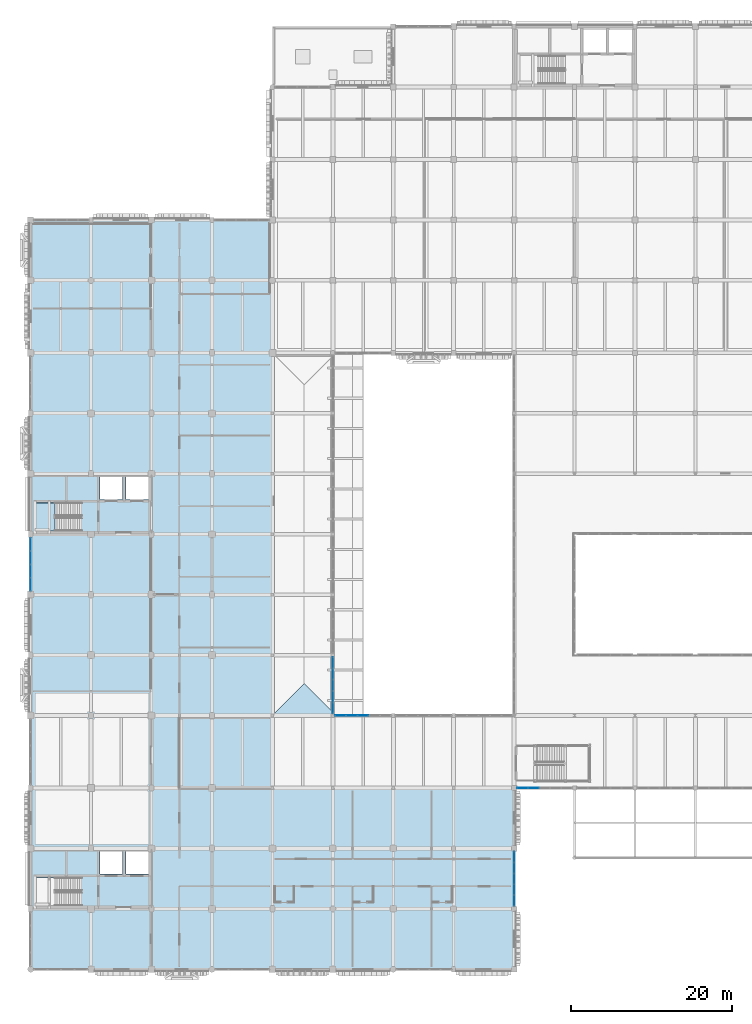
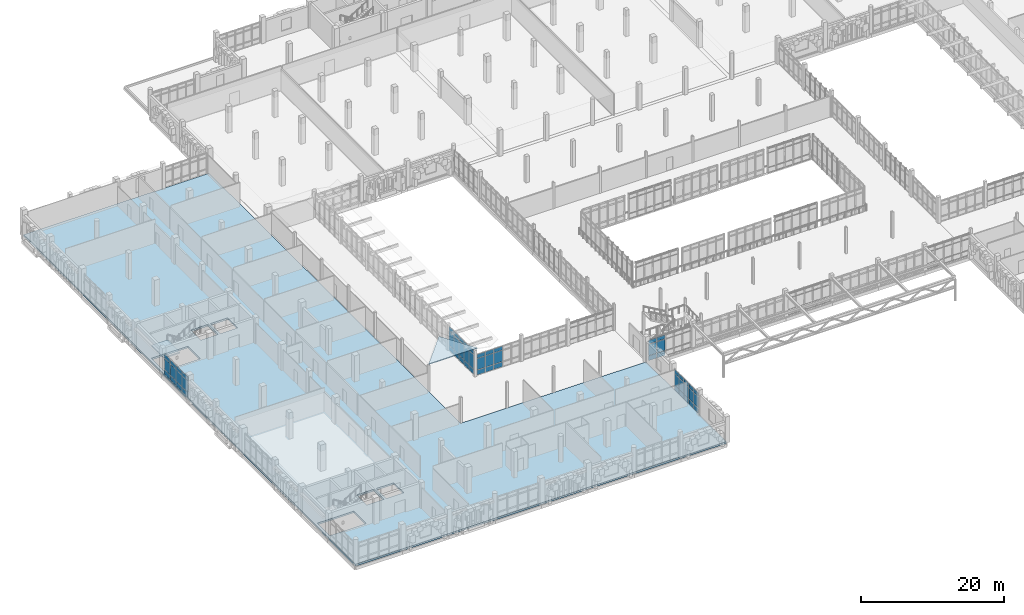
# One storey, part 72 of 128: 57 plates, 3 slabs, 7 elements without a shape of their own.
"""IFC4 building model written with IfcOpenShell, lengths in metres."""

from ifc_helpers import new_model, si_unit, direction, frame, origin, origin_2d, place, context, subcontext, project, spatial, polyline, rectangle, outline, extrude, material, layer, layer_set, type_object, element, aggregate, save


model = new_model("IFC4")

# Units and contexts
model_context = context("Model", 3, precision=1e-05, world=origin(), true_north=direction((0.0, 1.0)))
body_context = subcontext(model_context, "Body", "Model", "MODEL_VIEW")
ifc_project = project(units=[si_unit("LENGTHUNIT", "METRE"), si_unit("AREAUNIT", "SQUARE_METRE"), si_unit("VOLUMEUNIT", "CUBIC_METRE"), si_unit("PLANEANGLEUNIT", "RADIAN"), si_unit("MASSUNIT", "GRAM", prefix="KILO")], contexts=[model_context])

# Site, building, storey
site_placement = place(None, origin())
site = spatial("IfcSite", under=ifc_project, at=site_placement, CompositionType="ELEMENT")
building_placement = place(site_placement, origin())
building = spatial("IfcBuilding", under=site, at=building_placement, Name="Dalvernix Boulevard General Hospital", CompositionType="ELEMENT")
storey_placement = place(building_placement, frame((0.0, 0.0, 4.800048828125)))
storey = spatial("IfcBuildingStorey", under=building, at=storey_placement, Name="L01", CompositionType="ELEMENT", Elevation=4.800048828125)

# Curtain wall, plates
ifc_material_1 = material(Name="Thermally broken aluminium and solar-control glass curtain wall", Category="aluminium")
ifc_layer_1 = layer(ifc_material_1, 0.159912109375)
ifc_layer_set_1 = layer_set([ifc_layer_1], Name="Thermally broken aluminium and solar-control glass curtain wall (CW-CW-A-69x36)")
curtain_wall_type_1 = type_object("IfcCurtainWallType", Name="CW-CW-A-69x36", PredefinedType="USERDEFINED", material=ifc_layer_set_1)
curtain_wall_1_placement = place(storey_placement, origin())
curtain_wall_1 = element("IfcCurtainWall", 1, at=curtain_wall_1_placement, inside=storey, type_object=curtain_wall_type_1, Name="L01 curtain wall CW-A-69x36 8-3", ObjectType="GLAZED FACADE", PredefinedType="USERDEFINED")
ifc_material_2 = material(Name="Double-glazed solar-control low-emissivity glass", Category="glass")
ifc_layer_2 = layer(ifc_material_2, 0.02392578125)
ifc_layer_set_2 = layer_set([ifc_layer_2], Name="Double-glazed solar-control low-emissivity glass (PLT-CW-P1)")
plate_type_1 = type_object("IfcPlateType", Name="PLT-CW-P1", PredefinedType="CURTAIN_PANEL", material=ifc_layer_set_2)
plate_1_placement = place(storey_placement, frame((62.39892578125, 22.5, 0.059814453125), z_axis=(0.0, 0.0, 1.0), x_axis=(-1.0, 0.0, 0.0)))
plate_1 = element("IfcPlate", 2, at=plate_1_placement, type_object=plate_type_1, Name="CW-A-69x36 panel 4.1", PredefinedType="CURTAIN_PANEL", context=body_context, shape_type="SweptSolid", body=[
    extrude(rectangle(XDim=1.31591796875, YDim=0.02392578125, at=origin_2d()), origin(), (0.0, 0.0, 1.0), 0.81005859375),
])
plate_2_placement = place(storey_placement, frame((62.39892578125, 22.5, 0.929931640625), z_axis=(0.0, 0.0, 1.0), x_axis=(-1.0, 0.0, 0.0)))
plate_2 = element("IfcPlate", 3, at=plate_2_placement, type_object=plate_type_1, Name="CW-A-69x36 panel 4.2", PredefinedType="CURTAIN_PANEL", context=body_context, shape_type="SweptSolid", body=[
    extrude(rectangle(XDim=1.31591796875, YDim=0.02392578125, at=origin_2d()), origin(), (0.0, 0.0, 1.0), 1.919921875),
])
plate_3_placement = place(storey_placement, frame((62.39892578125, 22.5, 2.91015625), z_axis=(0.0, 0.0, 1.0), x_axis=(-1.0, 0.0, 0.0)))
plate_3 = element("IfcPlate", 4, at=plate_3_placement, type_object=plate_type_1, Name="CW-A-69x36 panel 4.3", PredefinedType="CURTAIN_PANEL", context=body_context, shape_type="SweptSolid", body=[
    extrude(rectangle(XDim=1.31591796875, YDim=0.02392578125, at=origin_2d()), origin(), (0.0, 0.0, 1.0), 0.659912109375),
])
plate_4_placement = place(storey_placement, frame((61.0380859375, 22.5, 0.059814453125), z_axis=(0.0, 0.0, 1.0), x_axis=(-1.0, 0.0, 0.0)))
plate_4 = element("IfcPlate", 5, at=plate_4_placement, type_object=plate_type_1, Name="CW-A-69x36 panel 5.1", PredefinedType="CURTAIN_PANEL", context=body_context, shape_type="SweptSolid", body=[
    extrude(rectangle(XDim=1.285888671875, YDim=0.02392578125, at=origin_2d()), origin(), (0.0, 0.0, 1.0), 0.81005859375),
])
plate_5_placement = place(storey_placement, frame((61.0380859375, 22.5, 0.929931640625), z_axis=(0.0, 0.0, 1.0), x_axis=(-1.0, 0.0, 0.0)))
plate_5 = element("IfcPlate", 6, at=plate_5_placement, type_object=plate_type_1, Name="CW-A-69x36 panel 5.2", PredefinedType="CURTAIN_PANEL", context=body_context, shape_type="SweptSolid", body=[
    extrude(rectangle(XDim=1.285888671875, YDim=0.02392578125, at=origin_2d()), origin(), (0.0, 0.0, 1.0), 1.919921875),
])
plate_6_placement = place(storey_placement, frame((61.0380859375, 22.5, 2.91015625), z_axis=(0.0, 0.0, 1.0), x_axis=(-1.0, 0.0, 0.0)))
plate_6 = element("IfcPlate", 7, at=plate_6_placement, type_object=plate_type_1, Name="CW-A-69x36 panel 5.3", PredefinedType="CURTAIN_PANEL", context=body_context, shape_type="SweptSolid", body=[
    extrude(rectangle(XDim=1.285888671875, YDim=0.02392578125, at=origin_2d()), origin(), (0.0, 0.0, 1.0), 0.659912109375),
])
aggregate(curtain_wall_1, [plate_1, plate_2, plate_3, plate_4, plate_5, plate_6])

ifc_layer_3 = layer(ifc_material_1, 0.179931640625)
ifc_layer_set_3 = layer_set([ifc_layer_3], Name="Thermally broken aluminium and solar-control glass curtain wall (CW-CW-B-67x36)")
curtain_wall_type_2 = type_object("IfcCurtainWallType", Name="CW-CW-B-67x36", PredefinedType="USERDEFINED", material=ifc_layer_set_3)
curtain_wall_2_placement = place(storey_placement, origin())
curtain_wall_2 = element("IfcCurtainWall", 8, at=curtain_wall_2_placement, inside=storey, type_object=curtain_wall_type_2, Name="L01 curtain wall CW-B-67x36 0-6", ObjectType="GLAZED FACADE", PredefinedType="USERDEFINED")
ifc_layer_4 = layer(ifc_material_2, 0.028076171875)
ifc_layer_set_4 = layer_set([ifc_layer_4], Name="Double-glazed solar-control low-emissivity glass (PLT-CW-P2)")
plate_type_2 = type_object("IfcPlateType", Name="PLT-CW-P2", PredefinedType="CURTAIN_PANEL", material=ifc_layer_set_4)
plate_7_placement = place(storey_placement, frame((0.0, 47.783203125, 0.06494140625), z_axis=(0.0, 0.0, 1.0), x_axis=(0.0, 1.0, 0.0)))
plate_7 = element("IfcPlate", 9, at=plate_7_placement, type_object=plate_type_2, Name="CW-B-67x36 panel 1.1", PredefinedType="CURTAIN_PANEL", context=body_context, shape_type="SweptSolid", body=[
    extrude(rectangle(XDim=1.566162109375, YDim=0.028076171875, at=origin_2d()), origin(), (0.0, 0.0, 1.0), 0.802490234375),
])
plate_8_placement = place(storey_placement, frame((0.0, 47.783203125, 0.932373046875), z_axis=(0.0, 0.0, 1.0), x_axis=(0.0, 1.0, 0.0)))
plate_8 = element("IfcPlate", 10, at=plate_8_placement, type_object=plate_type_2, Name="CW-B-67x36 panel 1.2", PredefinedType="CURTAIN_PANEL", context=body_context, shape_type="SweptSolid", body=[
    extrude(rectangle(XDim=1.566162109375, YDim=0.028076171875, at=origin_2d()), origin(), (0.0, 0.0, 1.0), 1.9150390625),
])
plate_9_placement = place(storey_placement, frame((0.0, 47.783203125, 2.91259765625), z_axis=(0.0, 0.0, 1.0), x_axis=(0.0, 1.0, 0.0)))
plate_9 = element("IfcPlate", 11, at=plate_9_placement, type_object=plate_type_2, Name="CW-B-67x36 panel 1.3", PredefinedType="CURTAIN_PANEL", context=body_context, shape_type="SweptSolid", body=[
    extrude(rectangle(XDim=1.566162109375, YDim=0.028076171875, at=origin_2d()), origin(), (0.0, 0.0, 1.0), 0.652587890625),
])
plate_10_placement = place(storey_placement, frame((0.0, 49.4306640625, 0.06494140625), z_axis=(0.0, 0.0, 1.0), x_axis=(0.0, 1.0, 0.0)))
plate_10 = element("IfcPlate", 12, at=plate_10_placement, type_object=plate_type_2, Name="CW-B-67x36 panel 2.1", PredefinedType="CURTAIN_PANEL", context=body_context, shape_type="SweptSolid", body=[
    extrude(rectangle(XDim=1.5986328125, YDim=0.028076171875, at=origin_2d()), origin(), (0.0, 0.0, 1.0), 0.802490234375),
])
plate_11_placement = place(storey_placement, frame((0.0, 49.4306640625, 0.932373046875), z_axis=(0.0, 0.0, 1.0), x_axis=(0.0, 1.0, 0.0)))
plate_11 = element("IfcPlate", 13, at=plate_11_placement, type_object=plate_type_2, Name="CW-B-67x36 panel 2.2", PredefinedType="CURTAIN_PANEL", context=body_context, shape_type="SweptSolid", body=[
    extrude(rectangle(XDim=1.5986328125, YDim=0.028076171875, at=origin_2d()), origin(), (0.0, 0.0, 1.0), 1.9150390625),
])
plate_12_placement = place(storey_placement, frame((0.0, 49.4306640625, 2.91259765625), z_axis=(0.0, 0.0, 1.0), x_axis=(0.0, 1.0, 0.0)))
plate_12 = element("IfcPlate", 14, at=plate_12_placement, type_object=plate_type_2, Name="CW-B-67x36 panel 2.3", PredefinedType="CURTAIN_PANEL", context=body_context, shape_type="SweptSolid", body=[
    extrude(rectangle(XDim=1.5986328125, YDim=0.028076171875, at=origin_2d()), origin(), (0.0, 0.0, 1.0), 0.652587890625),
])
plate_13_placement = place(storey_placement, frame((0.0, 51.094482421875, 0.06494140625), z_axis=(0.0, 0.0, 1.0), x_axis=(0.0, 1.0, 0.0)))
plate_13 = element("IfcPlate", 15, at=plate_13_placement, type_object=plate_type_2, Name="CW-B-67x36 panel 3.1", PredefinedType="CURTAIN_PANEL", context=body_context, shape_type="SweptSolid", body=[
    extrude(rectangle(XDim=1.5986328125, YDim=0.028076171875, at=origin_2d()), origin(), (0.0, 0.0, 1.0), 0.802490234375),
])
plate_14_placement = place(storey_placement, frame((0.0, 51.094482421875, 0.932373046875), z_axis=(0.0, 0.0, 1.0), x_axis=(0.0, 1.0, 0.0)))
plate_14 = element("IfcPlate", 16, at=plate_14_placement, type_object=plate_type_2, Name="CW-B-67x36 panel 3.2", PredefinedType="CURTAIN_PANEL", context=body_context, shape_type="SweptSolid", body=[
    extrude(rectangle(XDim=1.5986328125, YDim=0.028076171875, at=origin_2d()), origin(), (0.0, 0.0, 1.0), 1.9150390625),
])
plate_15_placement = place(storey_placement, frame((0.0, 51.094482421875, 2.91259765625), z_axis=(0.0, 0.0, 1.0), x_axis=(0.0, 1.0, 0.0)))
plate_15 = element("IfcPlate", 17, at=plate_15_placement, type_object=plate_type_2, Name="CW-B-67x36 panel 3.3", PredefinedType="CURTAIN_PANEL", context=body_context, shape_type="SweptSolid", body=[
    extrude(rectangle(XDim=1.5986328125, YDim=0.028076171875, at=origin_2d()), origin(), (0.0, 0.0, 1.0), 0.652587890625),
])
plate_16_placement = place(storey_placement, frame((0.0, 52.741943359375, 0.06494140625), z_axis=(0.0, 0.0, 1.0), x_axis=(0.0, 1.0, 0.0)))
plate_16 = element("IfcPlate", 18, at=plate_16_placement, type_object=plate_type_2, Name="CW-B-67x36 panel 4.1", PredefinedType="CURTAIN_PANEL", context=body_context, shape_type="SweptSolid", body=[
    extrude(rectangle(XDim=1.566162109375, YDim=0.028076171875, at=origin_2d()), origin(), (0.0, 0.0, 1.0), 0.802490234375),
])
plate_17_placement = place(storey_placement, frame((0.0, 52.741943359375, 0.932373046875), z_axis=(0.0, 0.0, 1.0), x_axis=(0.0, 1.0, 0.0)))
plate_17 = element("IfcPlate", 19, at=plate_17_placement, type_object=plate_type_2, Name="CW-B-67x36 panel 4.2", PredefinedType="CURTAIN_PANEL", context=body_context, shape_type="SweptSolid", body=[
    extrude(rectangle(XDim=1.566162109375, YDim=0.028076171875, at=origin_2d()), origin(), (0.0, 0.0, 1.0), 1.9150390625),
])
plate_18_placement = place(storey_placement, frame((0.0, 52.741943359375, 2.91259765625), z_axis=(0.0, 0.0, 1.0), x_axis=(0.0, 1.0, 0.0)))
plate_18 = element("IfcPlate", 20, at=plate_18_placement, type_object=plate_type_2, Name="CW-B-67x36 panel 4.3", PredefinedType="CURTAIN_PANEL", context=body_context, shape_type="SweptSolid", body=[
    extrude(rectangle(XDim=1.566162109375, YDim=0.028076171875, at=origin_2d()), origin(), (0.0, 0.0, 1.0), 0.652587890625),
])
aggregate(curtain_wall_2, [plate_7, plate_8, plate_9, plate_10, plate_11, plate_12, plate_13, plate_14, plate_15, plate_16, plate_17, plate_18])

ifc_layer_5 = layer(ifc_material_1, 0.179931640625)
ifc_layer_set_5 = layer_set([ifc_layer_5], Name="Thermally broken aluminium and solar-control glass curtain wall (CW-CW-B-70x42)")
curtain_wall_type_3 = type_object("IfcCurtainWallType", Name="CW-CW-B-70x42", PredefinedType="USERDEFINED", material=ifc_layer_set_5)
curtain_wall_3_placement = place(storey_placement, origin())
curtain_wall_3 = element("IfcCurtainWall", 21, at=curtain_wall_3_placement, inside=storey, type_object=curtain_wall_type_3, Name="L01 curtain wall CW-B-70x42 5-4", ObjectType="GLAZED FACADE", PredefinedType="USERDEFINED")
plate_19_placement = place(storey_placement, frame((37.5, 38.045654296875, 0.06494140625), z_axis=(0.0, 0.0, 1.0), x_axis=(0.0, -1.0, 0.0)))
plate_19 = element("IfcPlate", 22, at=plate_19_placement, type_object=plate_type_2, Name="CW-B-70x42 panel 1.1", PredefinedType="CURTAIN_PANEL", context=body_context, shape_type="SweptSolid", body=[
    extrude(rectangle(XDim=1.30859375, YDim=0.028076171875, at=origin_2d()), origin(), (0.0, 0.0, 1.0), 0.802490234375),
])
plate_20_placement = place(storey_placement, frame((37.5, 38.045654296875, 0.9326171875), z_axis=(0.0, 0.0, 1.0), x_axis=(0.0, -1.0, 0.0)))
plate_20 = element("IfcPlate", 23, at=plate_20_placement, type_object=plate_type_2, Name="CW-B-70x42 panel 1.2", PredefinedType="CURTAIN_PANEL", context=body_context, shape_type="SweptSolid", body=[
    extrude(rectangle(XDim=1.30859375, YDim=0.028076171875, at=origin_2d()), origin(), (0.0, 0.0, 1.0), 2.465087890625),
])
plate_21_placement = place(storey_placement, frame((37.5, 38.045654296875, 3.46240234375), z_axis=(0.0, 0.0, 1.0), x_axis=(0.0, -1.0, 0.0)))
plate_21 = element("IfcPlate", 24, at=plate_21_placement, type_object=plate_type_2, Name="CW-B-70x42 panel 1.3", PredefinedType="CURTAIN_PANEL", context=body_context, shape_type="SweptSolid", body=[
    extrude(rectangle(XDim=1.30859375, YDim=0.028076171875, at=origin_2d()), origin(), (0.0, 0.0, 1.0), 0.652587890625),
])
plate_22_placement = place(storey_placement, frame((37.5, 36.656005859375, 0.06494140625), z_axis=(0.0, 0.0, 1.0), x_axis=(0.0, -1.0, 0.0)))
plate_22 = element("IfcPlate", 25, at=plate_22_placement, type_object=plate_type_2, Name="CW-B-70x42 panel 2.1", PredefinedType="CURTAIN_PANEL", context=body_context, shape_type="SweptSolid", body=[
    extrude(rectangle(XDim=1.341064453125, YDim=0.028076171875, at=origin_2d()), origin(), (0.0, 0.0, 1.0), 0.802490234375),
])
plate_23_placement = place(storey_placement, frame((37.5, 36.656005859375, 0.9326171875), z_axis=(0.0, 0.0, 1.0), x_axis=(0.0, -1.0, 0.0)))
plate_23 = element("IfcPlate", 26, at=plate_23_placement, type_object=plate_type_2, Name="CW-B-70x42 panel 2.2", PredefinedType="CURTAIN_PANEL", context=body_context, shape_type="SweptSolid", body=[
    extrude(rectangle(XDim=1.341064453125, YDim=0.028076171875, at=origin_2d()), origin(), (0.0, 0.0, 1.0), 2.465087890625),
])
plate_24_placement = place(storey_placement, frame((37.5, 36.656005859375, 3.46240234375), z_axis=(0.0, 0.0, 1.0), x_axis=(0.0, -1.0, 0.0)))
plate_24 = element("IfcPlate", 27, at=plate_24_placement, type_object=plate_type_2, Name="CW-B-70x42 panel 2.3", PredefinedType="CURTAIN_PANEL", context=body_context, shape_type="SweptSolid", body=[
    extrude(rectangle(XDim=1.341064453125, YDim=0.028076171875, at=origin_2d()), origin(), (0.0, 0.0, 1.0), 0.652587890625),
])
plate_25_placement = place(storey_placement, frame((37.5, 35.25, 0.06494140625), z_axis=(0.0, 0.0, 1.0), x_axis=(0.0, -1.0, 0.0)))
plate_25 = element("IfcPlate", 28, at=plate_25_placement, type_object=plate_type_2, Name="CW-B-70x42 panel 3.1", PredefinedType="CURTAIN_PANEL", context=body_context, shape_type="SweptSolid", body=[
    extrude(rectangle(XDim=1.341064453125, YDim=0.028076171875, at=origin_2d()), origin(), (0.0, 0.0, 1.0), 0.802490234375),
])
plate_26_placement = place(storey_placement, frame((37.5, 35.25, 0.9326171875), z_axis=(0.0, 0.0, 1.0), x_axis=(0.0, -1.0, 0.0)))
plate_26 = element("IfcPlate", 29, at=plate_26_placement, type_object=plate_type_2, Name="CW-B-70x42 panel 3.2", PredefinedType="CURTAIN_PANEL", context=body_context, shape_type="SweptSolid", body=[
    extrude(rectangle(XDim=1.341064453125, YDim=0.028076171875, at=origin_2d()), origin(), (0.0, 0.0, 1.0), 2.465087890625),
])
plate_27_placement = place(storey_placement, frame((37.5, 35.25, 3.46240234375), z_axis=(0.0, 0.0, 1.0), x_axis=(0.0, -1.0, 0.0)))
plate_27 = element("IfcPlate", 30, at=plate_27_placement, type_object=plate_type_2, Name="CW-B-70x42 panel 3.3", PredefinedType="CURTAIN_PANEL", context=body_context, shape_type="SweptSolid", body=[
    extrude(rectangle(XDim=1.341064453125, YDim=0.028076171875, at=origin_2d()), origin(), (0.0, 0.0, 1.0), 0.652587890625),
])
plate_28_placement = place(storey_placement, frame((37.5, 33.843994140625, 0.06494140625), z_axis=(0.0, 0.0, 1.0), x_axis=(0.0, -1.0, 0.0)))
plate_28 = element("IfcPlate", 31, at=plate_28_placement, type_object=plate_type_2, Name="CW-B-70x42 panel 4.1", PredefinedType="CURTAIN_PANEL", context=body_context, shape_type="SweptSolid", body=[
    extrude(rectangle(XDim=1.341064453125, YDim=0.028076171875, at=origin_2d()), origin(), (0.0, 0.0, 1.0), 0.802490234375),
])
plate_29_placement = place(storey_placement, frame((37.5, 33.843994140625, 0.9326171875), z_axis=(0.0, 0.0, 1.0), x_axis=(0.0, -1.0, 0.0)))
plate_29 = element("IfcPlate", 32, at=plate_29_placement, type_object=plate_type_2, Name="CW-B-70x42 panel 4.2", PredefinedType="CURTAIN_PANEL", context=body_context, shape_type="SweptSolid", body=[
    extrude(rectangle(XDim=1.341064453125, YDim=0.028076171875, at=origin_2d()), origin(), (0.0, 0.0, 1.0), 2.465087890625),
])
plate_30_placement = place(storey_placement, frame((37.5, 33.843994140625, 3.46240234375), z_axis=(0.0, 0.0, 1.0), x_axis=(0.0, -1.0, 0.0)))
plate_30 = element("IfcPlate", 33, at=plate_30_placement, type_object=plate_type_2, Name="CW-B-70x42 panel 4.3", PredefinedType="CURTAIN_PANEL", context=body_context, shape_type="SweptSolid", body=[
    extrude(rectangle(XDim=1.341064453125, YDim=0.028076171875, at=origin_2d()), origin(), (0.0, 0.0, 1.0), 0.652587890625),
])
plate_31_placement = place(storey_placement, frame((37.5, 32.454345703125, 0.06494140625), z_axis=(0.0, 0.0, 1.0), x_axis=(0.0, -1.0, 0.0)))
plate_31 = element("IfcPlate", 34, at=plate_31_placement, type_object=plate_type_2, Name="CW-B-70x42 panel 5.1", PredefinedType="CURTAIN_PANEL", context=body_context, shape_type="SweptSolid", body=[
    extrude(rectangle(XDim=1.30859375, YDim=0.028076171875, at=origin_2d()), origin(), (0.0, 0.0, 1.0), 0.802490234375),
])
plate_32_placement = place(storey_placement, frame((37.5, 32.454345703125, 0.9326171875), z_axis=(0.0, 0.0, 1.0), x_axis=(0.0, -1.0, 0.0)))
plate_32 = element("IfcPlate", 35, at=plate_32_placement, type_object=plate_type_2, Name="CW-B-70x42 panel 5.2", PredefinedType="CURTAIN_PANEL", context=body_context, shape_type="SweptSolid", body=[
    extrude(rectangle(XDim=1.30859375, YDim=0.028076171875, at=origin_2d()), origin(), (0.0, 0.0, 1.0), 2.465087890625),
])
plate_33_placement = place(storey_placement, frame((37.5, 32.454345703125, 3.46240234375), z_axis=(0.0, 0.0, 1.0), x_axis=(0.0, -1.0, 0.0)))
plate_33 = element("IfcPlate", 36, at=plate_33_placement, type_object=plate_type_2, Name="CW-B-70x42 panel 5.3", PredefinedType="CURTAIN_PANEL", context=body_context, shape_type="SweptSolid", body=[
    extrude(rectangle(XDim=1.30859375, YDim=0.028076171875, at=origin_2d()), origin(), (0.0, 0.0, 1.0), 0.652587890625),
])
aggregate(curtain_wall_3, [plate_19, plate_20, plate_21, plate_22, plate_23, plate_24, plate_25, plate_26, plate_27, plate_28, plate_29, plate_30, plate_31, plate_32, plate_33])

ifc_layer_6 = layer(ifc_material_1, 0.179931640625)
ifc_layer_set_6 = layer_set([ifc_layer_6], Name="Thermally broken aluminium and solar-control glass curtain wall (CW-CW-B-70x36)")
curtain_wall_type_4 = type_object("IfcCurtainWallType", Name="CW-CW-B-70x36", PredefinedType="USERDEFINED", material=ifc_layer_set_6)
curtain_wall_4_placement = place(storey_placement, origin())
curtain_wall_4 = element("IfcCurtainWall", 37, at=curtain_wall_4_placement, inside=storey, type_object=curtain_wall_type_4, Name="L01 curtain wall CW-B-70x36 5-4", ObjectType="GLAZED FACADE", PredefinedType="USERDEFINED")
plate_34_placement = place(storey_placement, frame((38.454345703125, 31.5, 0.06494140625), z_axis=(0.0, 0.0, 1.0), x_axis=(1.0, 0.0, 0.0)))
plate_34 = element("IfcPlate", 38, at=plate_34_placement, type_object=plate_type_2, Name="CW-B-70x36 panel 1.1", PredefinedType="CURTAIN_PANEL", context=body_context, shape_type="SweptSolid", body=[
    extrude(rectangle(XDim=1.30859375, YDim=0.028076171875, at=origin_2d()), origin(), (0.0, 0.0, 1.0), 0.802490234375),
])
plate_35_placement = place(storey_placement, frame((38.454345703125, 31.5, 0.932373046875), z_axis=(0.0, 0.0, 1.0), x_axis=(1.0, 0.0, 0.0)))
plate_35 = element("IfcPlate", 39, at=plate_35_placement, type_object=plate_type_2, Name="CW-B-70x36 panel 1.2", PredefinedType="CURTAIN_PANEL", context=body_context, shape_type="SweptSolid", body=[
    extrude(rectangle(XDim=1.30859375, YDim=0.028076171875, at=origin_2d()), origin(), (0.0, 0.0, 1.0), 1.9150390625),
])
plate_36_placement = place(storey_placement, frame((38.454345703125, 31.5, 2.91259765625), z_axis=(0.0, 0.0, 1.0), x_axis=(1.0, 0.0, 0.0)))
plate_36 = element("IfcPlate", 40, at=plate_36_placement, type_object=plate_type_2, Name="CW-B-70x36 panel 1.3", PredefinedType="CURTAIN_PANEL", context=body_context, shape_type="SweptSolid", body=[
    extrude(rectangle(XDim=1.30859375, YDim=0.028076171875, at=origin_2d()), origin(), (0.0, 0.0, 1.0), 0.652587890625),
])
plate_37_placement = place(storey_placement, frame((39.843994140625, 31.5, 0.06494140625), z_axis=(0.0, 0.0, 1.0), x_axis=(1.0, 0.0, 0.0)))
plate_37 = element("IfcPlate", 41, at=plate_37_placement, type_object=plate_type_2, Name="CW-B-70x36 panel 2.1", PredefinedType="CURTAIN_PANEL", context=body_context, shape_type="SweptSolid", body=[
    extrude(rectangle(XDim=1.341064453125, YDim=0.028076171875, at=origin_2d()), origin(), (0.0, 0.0, 1.0), 0.802490234375),
])
plate_38_placement = place(storey_placement, frame((39.843994140625, 31.5, 0.932373046875), z_axis=(0.0, 0.0, 1.0), x_axis=(1.0, 0.0, 0.0)))
plate_38 = element("IfcPlate", 42, at=plate_38_placement, type_object=plate_type_2, Name="CW-B-70x36 panel 2.2", PredefinedType="CURTAIN_PANEL", context=body_context, shape_type="SweptSolid", body=[
    extrude(rectangle(XDim=1.341064453125, YDim=0.028076171875, at=origin_2d()), origin(), (0.0, 0.0, 1.0), 1.9150390625),
])
plate_39_placement = place(storey_placement, frame((39.843994140625, 31.5, 2.91259765625), z_axis=(0.0, 0.0, 1.0), x_axis=(1.0, 0.0, 0.0)))
plate_39 = element("IfcPlate", 43, at=plate_39_placement, type_object=plate_type_2, Name="CW-B-70x36 panel 2.3", PredefinedType="CURTAIN_PANEL", context=body_context, shape_type="SweptSolid", body=[
    extrude(rectangle(XDim=1.341064453125, YDim=0.028076171875, at=origin_2d()), origin(), (0.0, 0.0, 1.0), 0.652587890625),
])
plate_40_placement = place(storey_placement, frame((41.25, 31.5, 0.06494140625), z_axis=(0.0, 0.0, 1.0), x_axis=(1.0, 0.0, 0.0)))
plate_40 = element("IfcPlate", 44, at=plate_40_placement, type_object=plate_type_2, Name="CW-B-70x36 panel 3.1", PredefinedType="CURTAIN_PANEL", context=body_context, shape_type="SweptSolid", body=[
    extrude(rectangle(XDim=1.341064453125, YDim=0.028076171875, at=origin_2d()), origin(), (0.0, 0.0, 1.0), 0.802490234375),
])
plate_41_placement = place(storey_placement, frame((41.25, 31.5, 0.932373046875), z_axis=(0.0, 0.0, 1.0), x_axis=(1.0, 0.0, 0.0)))
plate_41 = element("IfcPlate", 45, at=plate_41_placement, type_object=plate_type_2, Name="CW-B-70x36 panel 3.2", PredefinedType="CURTAIN_PANEL", context=body_context, shape_type="SweptSolid", body=[
    extrude(rectangle(XDim=1.341064453125, YDim=0.028076171875, at=origin_2d()), origin(), (0.0, 0.0, 1.0), 1.9150390625),
])
plate_42_placement = place(storey_placement, frame((41.25, 31.5, 2.91259765625), z_axis=(0.0, 0.0, 1.0), x_axis=(1.0, 0.0, 0.0)))
plate_42 = element("IfcPlate", 46, at=plate_42_placement, type_object=plate_type_2, Name="CW-B-70x36 panel 3.3", PredefinedType="CURTAIN_PANEL", context=body_context, shape_type="SweptSolid", body=[
    extrude(rectangle(XDim=1.341064453125, YDim=0.028076171875, at=origin_2d()), origin(), (0.0, 0.0, 1.0), 0.652587890625),
])
aggregate(curtain_wall_4, [plate_34, plate_35, plate_36, plate_37, plate_38, plate_39, plate_40, plate_41, plate_42])

ifc_layer_7 = layer(ifc_material_1, 0.179931640625)
ifc_layer_set_7 = layer_set([ifc_layer_7], Name="Thermally broken aluminium and solar-control glass curtain wall (CW-CW-B-68x36)")
curtain_wall_type_5 = type_object("IfcCurtainWallType", Name="CW-CW-B-68x36", PredefinedType="USERDEFINED", material=ifc_layer_set_7)
curtain_wall_5_placement = place(storey_placement, origin())
curtain_wall_5 = element("IfcCurtainWall", 47, at=curtain_wall_5_placement, inside=storey, type_object=curtain_wall_type_5, Name="L01 curtain wall CW-B-68x36 8-1", ObjectType="GLAZED FACADE", PredefinedType="USERDEFINED")
plate_43_placement = place(storey_placement, frame((60.0, 13.943359375, 0.06494140625), z_axis=(0.0, 0.0, 1.0), x_axis=(0.0, -1.0, 0.0)))
plate_43 = element("IfcPlate", 48, at=plate_43_placement, type_object=plate_type_2, Name="CW-B-68x36 panel 1.1", PredefinedType="CURTAIN_PANEL", context=body_context, shape_type="SweptSolid", body=[
    extrude(rectangle(XDim=1.263427734375, YDim=0.028076171875, at=origin_2d()), origin(), (0.0, 0.0, 1.0), 0.802490234375),
])
plate_44_placement = place(storey_placement, frame((60.0, 13.943359375, 0.932373046875), z_axis=(0.0, 0.0, 1.0), x_axis=(0.0, -1.0, 0.0)))
plate_44 = element("IfcPlate", 49, at=plate_44_placement, type_object=plate_type_2, Name="CW-B-68x36 panel 1.2", PredefinedType="CURTAIN_PANEL", context=body_context, shape_type="SweptSolid", body=[
    extrude(rectangle(XDim=1.263427734375, YDim=0.028076171875, at=origin_2d()), origin(), (0.0, 0.0, 1.0), 1.9150390625),
])
plate_45_placement = place(storey_placement, frame((60.0, 13.943359375, 2.91259765625), z_axis=(0.0, 0.0, 1.0), x_axis=(0.0, -1.0, 0.0)))
plate_45 = element("IfcPlate", 50, at=plate_45_placement, type_object=plate_type_2, Name="CW-B-68x36 panel 1.3", PredefinedType="CURTAIN_PANEL", context=body_context, shape_type="SweptSolid", body=[
    extrude(rectangle(XDim=1.263427734375, YDim=0.028076171875, at=origin_2d()), origin(), (0.0, 0.0, 1.0), 0.652587890625),
])
plate_46_placement = place(storey_placement, frame((60.0, 12.598388671875, 0.06494140625), z_axis=(0.0, 0.0, 1.0), x_axis=(0.0, -1.0, 0.0)))
plate_46 = element("IfcPlate", 51, at=plate_46_placement, type_object=plate_type_2, Name="CW-B-68x36 panel 2.1", PredefinedType="CURTAIN_PANEL", context=body_context, shape_type="SweptSolid", body=[
    extrude(rectangle(XDim=1.2958984375, YDim=0.028076171875, at=origin_2d()), origin(), (0.0, 0.0, 1.0), 0.802490234375),
])
plate_47_placement = place(storey_placement, frame((60.0, 12.598388671875, 0.932373046875), z_axis=(0.0, 0.0, 1.0), x_axis=(0.0, -1.0, 0.0)))
plate_47 = element("IfcPlate", 52, at=plate_47_placement, type_object=plate_type_2, Name="CW-B-68x36 panel 2.2", PredefinedType="CURTAIN_PANEL", context=body_context, shape_type="SweptSolid", body=[
    extrude(rectangle(XDim=1.2958984375, YDim=0.028076171875, at=origin_2d()), origin(), (0.0, 0.0, 1.0), 1.9150390625),
])
plate_48_placement = place(storey_placement, frame((60.0, 12.598388671875, 2.91259765625), z_axis=(0.0, 0.0, 1.0), x_axis=(0.0, -1.0, 0.0)))
plate_48 = element("IfcPlate", 53, at=plate_48_placement, type_object=plate_type_2, Name="CW-B-68x36 panel 2.3", PredefinedType="CURTAIN_PANEL", context=body_context, shape_type="SweptSolid", body=[
    extrude(rectangle(XDim=1.2958984375, YDim=0.028076171875, at=origin_2d()), origin(), (0.0, 0.0, 1.0), 0.652587890625),
])
plate_49_placement = place(storey_placement, frame((60.0, 11.237548828125, 0.06494140625), z_axis=(0.0, 0.0, 1.0), x_axis=(0.0, -1.0, 0.0)))
plate_49 = element("IfcPlate", 54, at=plate_49_placement, type_object=plate_type_2, Name="CW-B-68x36 panel 3.1", PredefinedType="CURTAIN_PANEL", context=body_context, shape_type="SweptSolid", body=[
    extrude(rectangle(XDim=1.2958984375, YDim=0.028076171875, at=origin_2d()), origin(), (0.0, 0.0, 1.0), 0.802490234375),
])
plate_50_placement = place(storey_placement, frame((60.0, 11.237548828125, 0.932373046875), z_axis=(0.0, 0.0, 1.0), x_axis=(0.0, -1.0, 0.0)))
plate_50 = element("IfcPlate", 55, at=plate_50_placement, type_object=plate_type_2, Name="CW-B-68x36 panel 3.2", PredefinedType="CURTAIN_PANEL", context=body_context, shape_type="SweptSolid", body=[
    extrude(rectangle(XDim=1.2958984375, YDim=0.028076171875, at=origin_2d()), origin(), (0.0, 0.0, 1.0), 1.9150390625),
])
plate_51_placement = place(storey_placement, frame((60.0, 11.237548828125, 2.91259765625), z_axis=(0.0, 0.0, 1.0), x_axis=(0.0, -1.0, 0.0)))
plate_51 = element("IfcPlate", 56, at=plate_51_placement, type_object=plate_type_2, Name="CW-B-68x36 panel 3.3", PredefinedType="CURTAIN_PANEL", context=body_context, shape_type="SweptSolid", body=[
    extrude(rectangle(XDim=1.2958984375, YDim=0.028076171875, at=origin_2d()), origin(), (0.0, 0.0, 1.0), 0.652587890625),
])
plate_52_placement = place(storey_placement, frame((60.0, 9.87646484375, 0.06494140625), z_axis=(0.0, 0.0, 1.0), x_axis=(0.0, -1.0, 0.0)))
plate_52 = element("IfcPlate", 57, at=plate_52_placement, type_object=plate_type_2, Name="CW-B-68x36 panel 4.1", PredefinedType="CURTAIN_PANEL", context=body_context, shape_type="SweptSolid", body=[
    extrude(rectangle(XDim=1.2958984375, YDim=0.028076171875, at=origin_2d()), origin(), (0.0, 0.0, 1.0), 0.802490234375),
])
plate_53_placement = place(storey_placement, frame((60.0, 9.87646484375, 0.932373046875), z_axis=(0.0, 0.0, 1.0), x_axis=(0.0, -1.0, 0.0)))
plate_53 = element("IfcPlate", 58, at=plate_53_placement, type_object=plate_type_2, Name="CW-B-68x36 panel 4.2", PredefinedType="CURTAIN_PANEL", context=body_context, shape_type="SweptSolid", body=[
    extrude(rectangle(XDim=1.2958984375, YDim=0.028076171875, at=origin_2d()), origin(), (0.0, 0.0, 1.0), 1.9150390625),
])
plate_54_placement = place(storey_placement, frame((60.0, 9.87646484375, 2.91259765625), z_axis=(0.0, 0.0, 1.0), x_axis=(0.0, -1.0, 0.0)))
plate_54 = element("IfcPlate", 59, at=plate_54_placement, type_object=plate_type_2, Name="CW-B-68x36 panel 4.3", PredefinedType="CURTAIN_PANEL", context=body_context, shape_type="SweptSolid", body=[
    extrude(rectangle(XDim=1.2958984375, YDim=0.028076171875, at=origin_2d()), origin(), (0.0, 0.0, 1.0), 0.652587890625),
])
plate_55_placement = place(storey_placement, frame((60.0, 8.53173828125, 0.06494140625), z_axis=(0.0, 0.0, 1.0), x_axis=(0.0, -1.0, 0.0)))
plate_55 = element("IfcPlate", 60, at=plate_55_placement, type_object=plate_type_2, Name="CW-B-68x36 panel 5.1", PredefinedType="CURTAIN_PANEL", context=body_context, shape_type="SweptSolid", body=[
    extrude(rectangle(XDim=1.263427734375, YDim=0.028076171875, at=origin_2d()), origin(), (0.0, 0.0, 1.0), 0.802490234375),
])
plate_56_placement = place(storey_placement, frame((60.0, 8.53173828125, 0.932373046875), z_axis=(0.0, 0.0, 1.0), x_axis=(0.0, -1.0, 0.0)))
plate_56 = element("IfcPlate", 61, at=plate_56_placement, type_object=plate_type_2, Name="CW-B-68x36 panel 5.2", PredefinedType="CURTAIN_PANEL", context=body_context, shape_type="SweptSolid", body=[
    extrude(rectangle(XDim=1.263427734375, YDim=0.028076171875, at=origin_2d()), origin(), (0.0, 0.0, 1.0), 1.9150390625),
])
plate_57_placement = place(storey_placement, frame((60.0, 8.53173828125, 2.91259765625), z_axis=(0.0, 0.0, 1.0), x_axis=(0.0, -1.0, 0.0)))
plate_57 = element("IfcPlate", 62, at=plate_57_placement, type_object=plate_type_2, Name="CW-B-68x36 panel 5.3", PredefinedType="CURTAIN_PANEL", context=body_context, shape_type="SweptSolid", body=[
    extrude(rectangle(XDim=1.263427734375, YDim=0.028076171875, at=origin_2d()), origin(), (0.0, 0.0, 1.0), 0.652587890625),
])
aggregate(curtain_wall_5, [plate_43, plate_44, plate_45, plate_46, plate_47, plate_48, plate_49, plate_50, plate_51, plate_52, plate_53, plate_54, plate_55, plate_56, plate_57])

# Slab
ifc_material_3 = material(Name="Concrete C35/45", Category="concrete")
ifc_layer_8 = layer(ifc_material_3, 0.300048828125)
ifc_layer_set_8 = layer_set([ifc_layer_8], Name="Concrete C35/45 (SLB-FS-03)")
slab_type_1 = type_object("IfcSlabType", Name="SLB-FS-03", PredefinedType="FLOOR", material=ifc_layer_set_8)
slab_1_placement = place(storey_placement, frame((0.0, 0.0, -0.300048828125)))
element("IfcSlab", 63, at=slab_1_placement, inside=storey, type_object=slab_type_1, Name="L01 V4 structural floor slab 1", PredefinedType="FLOOR", context=body_context, shape_type="SweptSolid", body=[
    extrude(outline(polyline([(0.0, 69.0), (0.0, 76.5), (0.0, 85.5), (0.0, 93.0), (7.5, 93.0), (15.0, 93.0), (22.5, 93.0), (30.0, 93.0), (30.0, 85.5), (30.0, 76.5), (30.0, 69.0), (30.0, 61.5), (30.0, 54.0), (30.0, 46.5), (30.0, 39.0), (30.0, 31.5), (30.0, 22.5), (37.5, 22.5), (45.0, 22.5), (52.5, 22.5), (60.0, 22.5), (60.0, 15.0), (60.0, 7.5), (60.0, 0.0), (52.5, 0.0), (45.0, 0.0), (37.5, 0.0), (30.0, 0.0), (22.5, 0.0), (15.0, 0.0), (7.5, 0.0), (0.0, 0.0), (0.0, 7.5), (0.0, 15.0), (0.0, 22.5), (0.0, 31.5), (0.0, 39.0), (0.0, 46.5), (0.0, 54.0), (0.0, 61.5), (0.0, 69.0)]), holes=[polyline([(0.39990234375, 11.39990234375), (0.39990234375, 7.89990234375), (6.2900390625, 7.89990234375), (6.2900390625, 11.39990234375), (0.39990234375, 11.39990234375)]), polyline([(11.39990234375, 14.60009765625), (8.60009765625, 14.60009765625), (8.60009765625, 11.800048828125), (11.39990234375, 11.800048828125), (11.39990234375, 14.60009765625)]), polyline([(14.60009765625, 11.800048828125), (14.60009765625, 14.60009765625), (11.800048828125, 14.60009765625), (11.800048828125, 11.800048828125), (14.60009765625, 11.800048828125)]), polyline([(0.39990234375, 54.39990234375), (6.2900390625, 54.39990234375), (6.2900390625, 57.89990234375), (0.39990234375, 57.89990234375), (0.39990234375, 54.39990234375)]), polyline([(8.60009765625, 61.10009765625), (8.60009765625, 58.300048828125), (11.39990234375, 58.300048828125), (11.39990234375, 61.10009765625), (8.60009765625, 61.10009765625)]), polyline([(14.60009765625, 61.10009765625), (11.800048828125, 61.10009765625), (11.800048828125, 58.300048828125), (14.60009765625, 58.300048828125), (14.60009765625, 61.10009765625)])]), origin(), (0.0, 0.0, 1.0), 0.300048828125),
])

# Stair, slab
ifc_material_4 = material(Name="Precast concrete C40/50", Category="concrete")
stair_type = type_object("IfcStairType", Name="IFCSTAIR-STC-165x450", PredefinedType="HALF_TURN_STAIR", material=ifc_material_4)
stair_placement = place(storey_placement, origin())
stair = element("IfcStair", 64, at=stair_placement, inside=storey, type_object=stair_type, Name="L01 Core C2 Exit Stair ST-02", PredefinedType="HALF_TURN_STAIR")
ifc_layer_9 = layer(ifc_material_4, 0.199951171875)
ifc_layer_set_9 = layer_set([ifc_layer_9], Name="Precast concrete C40/50 (SLB-LND-01)")
slab_type_2 = type_object("IfcSlabType", Name="SLB-LND-01", PredefinedType="LANDING", material=ifc_layer_set_9)
slab_2_placement = place(storey_placement, frame((0.0, 0.0, 2.050048828125)))
slab_2 = element("IfcSlab", 65, at=slab_2_placement, type_object=slab_type_2, Name="ST-02 landing 1", PredefinedType="LANDING", context=body_context, shape_type="SweptSolid", body=[
    extrude(outline(polyline([(2.989990234375, 57.89990234375), (0.39990234375, 57.89990234375), (0.39990234375, 54.39990234375), (2.989990234375, 54.39990234375), (2.989990234375, 57.89990234375)])), origin(), (0.0, 0.0, 1.0), 0.199951171875),
])
aggregate(stair, [slab_2])

# Roof, slab
ifc_material_5 = material(Name="Polychrome Catalan glazed terracotta tile roof system", Category="masonry")
roof_type = type_object("IfcRoofType", Name="ROOF-HIP-01", PredefinedType="HIP_ROOF", material=ifc_material_5)
roof_placement = place(storey_placement, origin())
roof = element("IfcRoof", 66, at=roof_placement, inside=storey, type_object=roof_type, Name="V6W Hipped Ceramic Roof", PredefinedType="HIP_ROOF")
ifc_material_6 = material(Name="Glulam GL28h", Category="wood")
ifc_layer_10 = layer(ifc_material_6, 0.159912109375)
ifc_layer_set_10 = layer_set([ifc_layer_10], Name="Glulam GL28h (SLB-RS-04)")
slab_type_3 = type_object("IfcSlabType", Name="SLB-RS-04", PredefinedType="ROOF", material=ifc_layer_set_10)
slab_3_placement = place(storey_placement, frame((30.0, 31.5, 4.664794921875), z_axis=(0.0, -0.238536653022, 0.971133495028), x_axis=(1.0, 0.0, 0.0)))
slab_3 = element("IfcSlab", 67, at=slab_3_placement, type_object=slab_type_3, Name="V6W hipped roof slab S", PredefinedType="ROOF", context=body_context, shape_type="SweptSolid", body=[
    extrude(outline(polyline([(0.0, 0.0), (7.89990234375, 0.0), (3.949951171875, 4.06736168827282), (0.0, 0.0)])), origin(), (0.0, 0.0, -1.0), 0.159912109375),
])
aggregate(roof, [slab_3])

save(model, "model.ifc")
